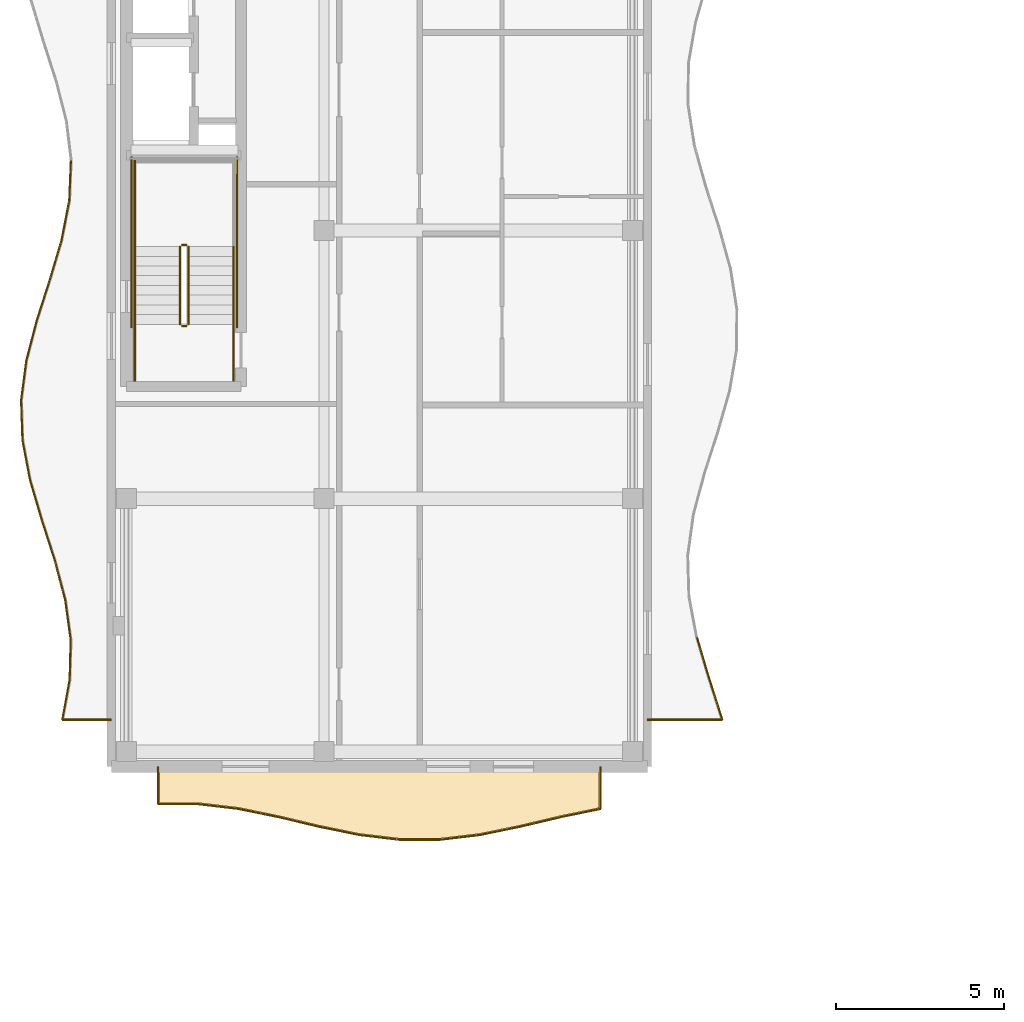
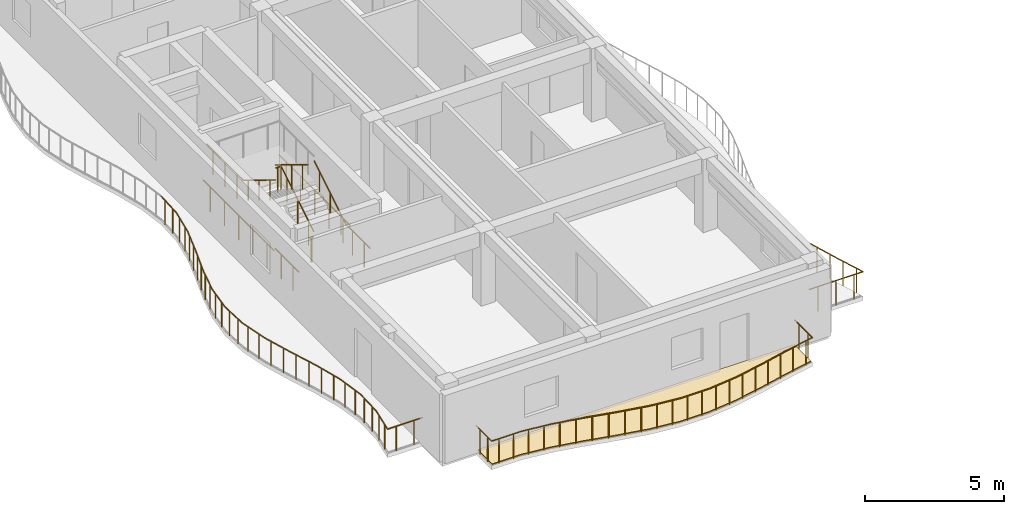
# One storey, part 56 of 79: 42 railings, 1 covering.
"""IFC4 building model written with IfcOpenShell, lengths in metres."""

import ifcopenshell
import ifcopenshell.guid

model = None  # the IFC model being written
_history = None  # IfcOwnerHistory: only IFC2X3 demands one
_inside = {}  # id of a spatial element -> (the spatial element, [elements in it])
_under = {}  # id of a project, library or spatial element -> (it, [spatial elements below it])
_declared = {}  # id of a project -> (the project, [libraries it declares])
_typed = {}  # id of a type object -> (the type object, [elements of that type])
_made_of = {}  # id of a material, layer set ... -> (it, [elements and type objects made of it])


def new_model(schema):
    """Start an empty IFC model of exactly this schema.

    Asked for "IFC4X3", IfcOpenShell would pick the latest addendum, in which some entities
    have other attributes; the version numbers below select the first issue.
    IFC2X3 requires an IfcOwnerHistory on every rooted entity: one is made here for all.
    """
    global model, _history
    if schema == "IFC4X3":
        model = ifcopenshell.file(schema_version=(4, 3, 0, 0))
    else:
        model = ifcopenshell.file(schema=schema)
    _inside.clear()
    _under.clear()
    _declared.clear()
    _typed.clear()
    _made_of.clear()
    _history = None
    if model.schema == "IFC2X3":
        org = make("IfcOrganization", Name="unknown")
        user = make(
            "IfcPersonAndOrganization",
            ThePerson=make("IfcPerson", FamilyName="unknown"),
            TheOrganization=org,
        )
        app = make(
            "IfcApplication",
            ApplicationDeveloper=org,
            Version="unknown",
            ApplicationFullName="unknown",
            ApplicationIdentifier="unknown",
        )
        _history = make(
            "IfcOwnerHistory",
            OwningUser=user,
            OwningApplication=app,
            ChangeAction="ADDED",
            CreationDate=0,
        )
    return model


def make(cls, **values):
    """One entity of the class cls with the attributes given. An attribute that is None is left unset."""
    return model.create_entity(
        cls, **{name: value for name, value in values.items() if value is not None}
    )


def rooted(cls, **values):
    """An entity with a GlobalId (a new one), such as an element, a storey or a relation."""
    return make(cls, GlobalId=ifcopenshell.guid.new(), OwnerHistory=_history, **values)


def si_unit(unit_type, name, prefix=None):
    """IfcSIUnit, for example si_unit("LENGTHUNIT", "METRE", prefix="MILLI")."""
    return make("IfcSIUnit", UnitType=unit_type, Prefix=prefix, Name=name)


def assignment(units):
    """IfcUnitAssignment: the units of a project."""
    return None if units is None else make("IfcUnitAssignment", Units=units)


def point(xyz):
    """IfcCartesianPoint."""
    return None if xyz is None else make("IfcCartesianPoint", Coordinates=xyz)


def direction(xyz):
    """IfcDirection."""
    return None if xyz is None else make("IfcDirection", DirectionRatios=xyz)


def frame(location, z_axis=None, x_axis=None):
    """IfcAxis2Placement3D, a coordinate frame: its origin and axes. An axis left out is left unset."""
    return make(
        "IfcAxis2Placement3D",
        Location=point(location),
        Axis=direction(z_axis),
        RefDirection=direction(x_axis),
    )


def frame_2d(location, x_axis=None):
    """IfcAxis2Placement2D, a coordinate frame in the plane: its origin and x axis."""
    return make(
        "IfcAxis2Placement2D", Location=point(location), RefDirection=direction(x_axis)
    )


def origin():
    """The frame at (0, 0, 0) with its axes left unset."""
    return frame((0.0, 0.0, 0.0))


def origin_2d():
    """The frame at (0, 0) in the plane with its x axis left unset."""
    return frame_2d((0.0, 0.0))


def place(relative_to, where):
    """IfcLocalPlacement: puts the frame where relative to a parent placement (None: the world)."""
    return make(
        "IfcLocalPlacement", PlacementRelTo=relative_to, RelativePlacement=where
    )


def context(
    kind, dimensions, precision=None, world=None, true_north=None, identifier=None
):
    """IfcGeometricRepresentationContext, for example the 3D "Model" context."""
    return make(
        "IfcGeometricRepresentationContext",
        ContextIdentifier=identifier,
        ContextType=kind,
        CoordinateSpaceDimension=dimensions,
        Precision=precision,
        WorldCoordinateSystem=world,
        TrueNorth=true_north,
    )


def subcontext(parent, identifier, kind, view, scale=None):
    """IfcGeometricRepresentationSubContext, for example "Body" below "Model"."""
    return make(
        "IfcGeometricRepresentationSubContext",
        ContextIdentifier=identifier,
        ContextType=kind,
        ParentContext=parent,
        TargetScale=scale,
        TargetView=view,
    )


def project(units=None, contexts=None):
    """IfcProject with its units and contexts."""
    return rooted(
        "IfcProject",
        Name="project",
        RepresentationContexts=contexts,
        UnitsInContext=assignment(units),
    )


def spatial(cls, under=None, at=None, **own):
    """A site, building, storey or space (cls), placed at a placement, below another one or the project."""
    s = rooted(cls, ObjectPlacement=at, **own)
    if under is not None:
        _under.setdefault(under.id(), (under, []))[1].append(s)
    return s


def polyline(points):
    """IfcPolyline through the points."""
    return make("IfcPolyline", Points=[point(p) for p in points])


def profile(cls, at=None, kind="AREA", **sizes):
    """A parametric profile (cls). Its sizes go by their IFC names, for example OverallWidth=200.0."""
    return make(cls, ProfileType=kind, Position=at, **sizes)


def circle(**sizes):
    """IfcCircleProfileDef."""
    return profile("IfcCircleProfileDef", **sizes)


def outline(outer, holes=None, kind="AREA"):
    """IfcArbitraryClosedProfileDef: a profile drawn as a closed curve; with holes, ...WithVoids."""
    if holes is None:
        return make("IfcArbitraryClosedProfileDef", ProfileType=kind, OuterCurve=outer)
    return make(
        "IfcArbitraryProfileDefWithVoids",
        ProfileType=kind,
        OuterCurve=outer,
        InnerCurves=holes,
    )


def extrude(swept, where, along, depth):
    """IfcExtrudedAreaSolid: the profile swept, set in the frame where, extruded along a direction by depth."""
    return make(
        "IfcExtrudedAreaSolid",
        SweptArea=swept,
        Position=where,
        ExtrudedDirection=direction(along),
        Depth=depth,
    )


def shape(context_of_items, identifier, shape_type, items):
    """IfcShapeRepresentation: the items that make up one representation, for example the "Body"."""
    return make(
        "IfcShapeRepresentation",
        ContextOfItems=context_of_items,
        RepresentationIdentifier=identifier,
        RepresentationType=shape_type,
        Items=items,
    )


def material(Name=None, Category=None):
    """IfcMaterial."""
    return make("IfcMaterial", Name=Name, Category=Category)


def layer(
    of_material, thickness, ventilated=None, Name=None, Category=None, Priority=None
):
    """IfcMaterialLayer: one layer of a wall or slab, of a material (None: an air gap)."""
    return make(
        "IfcMaterialLayer",
        Material=of_material,
        LayerThickness=thickness,
        IsVentilated=ventilated,
        Name=Name,
        Category=Category,
        Priority=Priority,
    )


def layer_set(layers, Name=None):
    """IfcMaterialLayerSet."""
    return make("IfcMaterialLayerSet", MaterialLayers=layers, LayerSetName=Name)


def made_of(thing, what):
    """Note that an element or type object is made of a material, layer set ...; save() writes the relation."""
    if what is not None:
        _made_of.setdefault(what.id(), (what, []))[1].append(thing)
    return thing


def type_object(cls, material=None, **own):
    """A type object (cls), such as IfcWallType, which elements share."""
    return made_of(rooted(cls, **own), material)


def element(
    cls,
    number,
    at=None,
    inside=None,
    cuts=None,
    type_object=None,
    material=None,
    context=None,
    identifier="Body",
    shape_type=None,
    held_by="IfcProductDefinitionShape",
    body=None,
    shapes=None,
    **own,
):
    """One element of the class cls, such as IfcWall. Its Tag is "e" and its number.

    at: its placement. inside: the storey or other place that contains it. cuts: it is an
    opening in that element (IfcRelVoidsElement). A single representation is given by context,
    identifier, shape_type and body (its items); several are given by shapes. held_by: the class
    of the entity that holds the representations. save() writes the other relations.
    """
    e = rooted(cls, Tag="e%d" % number, ObjectPlacement=at, **own)
    if body is not None:
        shapes = [shape(context, identifier, shape_type, body)]
    if shapes is not None:
        e.Representation = make(held_by, Representations=shapes)
    if inside is not None:
        _inside.setdefault(inside.id(), (inside, []))[1].append(e)
    if cuts is not None:
        rooted(
            "IfcRelVoidsElement", RelatingBuildingElement=cuts, RelatedOpeningElement=e
        )
    if type_object is not None:
        _typed.setdefault(type_object.id(), (type_object, []))[1].append(e)
    return made_of(e, material)


def aggregate(whole, parts):
    """IfcRelAggregates: a whole, such as a stair, and the parts it consists of."""
    return rooted("IfcRelAggregates", RelatingObject=whole, RelatedObjects=parts)


def save(model, path):
    """Write the relations noted so far, then the file.

    IfcRelAggregates (storeys below a building ...), IfcRelContainedInSpatialStructure (elements
    in a storey), IfcRelDefinesByType, IfcRelAssociatesMaterial and IfcRelDeclares: one each for
    every whole, place, type object, material and project.
    """
    for whole, parts in _under.values():
        aggregate(whole, parts)
    for where, things in _inside.values():
        rooted(
            "IfcRelContainedInSpatialStructure",
            RelatedElements=things,
            RelatingStructure=where,
        )
    for kind, things in _typed.values():
        rooted("IfcRelDefinesByType", RelatedObjects=things, RelatingType=kind)
    for what, things in _made_of.values():
        rooted("IfcRelAssociatesMaterial", RelatedObjects=things, RelatingMaterial=what)
    for by, libraries in _declared.values():
        rooted("IfcRelDeclares", RelatingContext=by, RelatedDefinitions=libraries)
    model.write(path)


model = new_model("IFC4")

# Units and contexts
model_context = context("Model", 3, precision=1e-05, world=origin(), true_north=direction((0.0, 1.0)))
body_context = subcontext(model_context, "Body", "Model", "MODEL_VIEW")
ifc_project = project(units=[si_unit("LENGTHUNIT", "METRE"), si_unit("AREAUNIT", "SQUARE_METRE"), si_unit("VOLUMEUNIT", "CUBIC_METRE"), si_unit("PLANEANGLEUNIT", "RADIAN"), si_unit("MASSUNIT", "GRAM", prefix="KILO")], contexts=[model_context])

# Site, building, storey
site_placement = place(None, origin())
site = spatial("IfcSite", under=ifc_project, at=site_placement, CompositionType="ELEMENT")
building_placement = place(site_placement, origin())
building = spatial("IfcBuilding", under=site, at=building_placement, Name="Keldmere Railside Commons", CompositionType="ELEMENT")
storey_placement = place(building_placement, frame((0.0, 0.0, 10.56005859375)))
storey = spatial("IfcBuildingStorey", under=building, at=storey_placement, Name="L03", CompositionType="ELEMENT", Elevation=10.56005859375)

# Railings
ifc_material_1 = material(Name="Steel F-24 (S235)", Category="steel")
railing_type_1 = type_object("IfcRailingType", Name="Balcony & Terrace Steel Balustrade 1100", PredefinedType="BALUSTRADE", material=ifc_material_1)
railing_1_placement = place(storey_placement, frame((24.0, 57.39990234375, 0.0)))
element("IfcRailing", 1, at=railing_1_placement, inside=storey, type_object=railing_type_1, Name="GR-1 GRD-L03-0277", PredefinedType="BALUSTRADE", context=body_context, shape_type="SweptSolid", body=[
    extrude(circle(Radius=0.02392578125, at=origin_2d()), frame((0.0, 0.0, 1.076171875), z_axis=(1.0, 0.0, 0.0), x_axis=(0.0, 1.0, 0.0)), (0.0, 0.0, 1.0), 2.236083984375),
    extrude(circle(Radius=0.02099609375, at=origin_2d()), frame((0.37255859375, 0.0, 0.0)), (0.0, 0.0, 1.0), 1.048095703125),
    extrude(circle(Radius=0.02099609375, at=origin_2d()), frame((1.1181640625, 0.0, 0.0)), (0.0, 0.0, 1.0), 1.048095703125),
    extrude(circle(Radius=0.02099609375, at=origin_2d()), frame((1.86328125, 0.0, 0.0)), (0.0, 0.0, 1.0), 1.048095703125),
])
railing_2_placement = place(storey_placement, frame((26.236083984375, 57.39990234375, 0.0)))
element("IfcRailing", 2, at=railing_2_placement, inside=storey, type_object=railing_type_1, Name="GR-1 GRD-L03-0278", PredefinedType="BALUSTRADE", context=body_context, shape_type="SweptSolid", body=[
    extrude(circle(Radius=0.02392578125, at=origin_2d()), frame((0.0, 0.0, 1.076171875), z_axis=(-0.305333404946, 0.952245510267, 0.0), x_axis=(-0.952245510267, -0.305333404946, 0.0)), (0.0, 0.0, 1.0), 1.28662109375),
    extrude(circle(Radius=0.02099609375, at=origin_2d()), frame((-0.09814453125, 0.30615234375, 0.0)), (0.0, 0.0, 1.0), 1.048095703125),
    extrude(circle(Radius=0.02099609375, at=origin_2d()), frame((-0.294677734375, 0.9189453125, 0.0)), (0.0, 0.0, 1.0), 1.048095703125),
])
railing_3_placement = place(storey_placement, frame((25.84326171875, 58.625, 0.0)))
element("IfcRailing", 3, at=railing_3_placement, inside=storey, type_object=railing_type_1, Name="GR-1 GRD-L03-0279", PredefinedType="BALUSTRADE", context=body_context, shape_type="SweptSolid", body=[
    extrude(circle(Radius=0.02392578125, at=origin_2d()), frame((0.0, 0.0, 1.076171875), z_axis=(-0.284296488671, 0.958736411392, 0.0), x_axis=(-0.958736411392, -0.284296488671, 0.0)), (0.0, 0.0, 1.0), 1.27783203125),
    extrude(circle(Radius=0.02099609375, at=origin_2d()), frame((-0.0908203125, 0.30615234375, 0.0)), (0.0, 0.0, 1.0), 1.048095703125),
    extrude(circle(Radius=0.02099609375, at=origin_2d()), frame((-0.2724609375, 0.9189453125, 0.0)), (0.0, 0.0, 1.0), 1.048095703125),
])
railing_4_placement = place(storey_placement, frame((8.0, 57.39990234375, 0.0)))
element("IfcRailing", 4, at=railing_4_placement, inside=storey, type_object=railing_type_1, Name="GR-1 GRD-L03-0303", PredefinedType="BALUSTRADE", context=body_context, shape_type="SweptSolid", body=[
    extrude(circle(Radius=0.02392578125, at=origin_2d()), frame((0.0, 0.0, 1.076171875), z_axis=(-1.0, 0.0, 0.0), x_axis=(0.0, -1.0, 0.0)), (0.0, 0.0, 1.0), 1.4619140625),
    extrude(circle(Radius=0.02099609375, at=origin_2d()), frame((-0.365478515625, 0.0, 0.0)), (0.0, 0.0, 1.0), 1.048095703125),
    extrude(circle(Radius=0.02099609375, at=origin_2d()), frame((-1.096435546875, 0.0, 0.0)), (0.0, 0.0, 1.0), 1.048095703125),
])
railing_5_placement = place(storey_placement, frame((6.5380859375, 57.39990234375, 0.0)))
element("IfcRailing", 5, at=railing_5_placement, inside=storey, type_object=railing_type_1, Name="GR-1 GRD-L03-0304", PredefinedType="BALUSTRADE", context=body_context, shape_type="SweptSolid", body=[
    extrude(circle(Radius=0.02392578125, at=origin_2d()), frame((0.0, 0.0, 1.076171875), z_axis=(0.180321371357, 0.983607748562, 0.0), x_axis=(-0.983607748562, 0.180321371357, 0.0)), (0.0, 0.0, 1.0), 1.211669921875),
    extrude(circle(Radius=0.02099609375, at=origin_2d()), frame((0.0546875, 0.2978515625, 0.0)), (0.0, 0.0, 1.0), 1.048095703125),
    extrude(circle(Radius=0.02099609375, at=origin_2d()), frame((0.163818359375, 0.89404296875, 0.0)), (0.0, 0.0, 1.0), 1.048095703125),
])
railing_6_placement = place(storey_placement, frame((6.756591796875, 58.591796875, 0.0)))
element("IfcRailing", 6, at=railing_6_placement, inside=storey, type_object=railing_type_1, Name="GR-1 GRD-L03-0305", PredefinedType="BALUSTRADE", context=body_context, shape_type="SweptSolid", body=[
    extrude(circle(Radius=0.02392578125, at=origin_2d()), frame((0.0, 0.0, 1.076171875), z_axis=(0.026425195158, 0.999650793558, 0.0), x_axis=(-0.999650793558, 0.026425195158, 0.0)), (0.0, 0.0, 1.0), 1.19189453125),
    extrude(circle(Radius=0.02099609375, at=origin_2d()), frame((0.0078125, 0.2978515625, 0.0)), (0.0, 0.0, 1.0), 1.048095703125),
    extrude(circle(Radius=0.02099609375, at=origin_2d()), frame((0.023681640625, 0.8935546875, 0.0)), (0.0, 0.0, 1.0), 1.048095703125),
])
railing_7_placement = place(storey_placement, frame((6.7880859375, 59.783203125, 0.0)))
element("IfcRailing", 7, at=railing_7_placement, inside=storey, type_object=railing_type_1, Name="GR-1 GRD-L03-0306", PredefinedType="BALUSTRADE", context=body_context, shape_type="SweptSolid", body=[
    extrude(circle(Radius=0.02392578125, at=origin_2d()), frame((0.0, 0.0, 1.076171875), z_axis=(-0.135765210069, 0.990741039695, 0.0), x_axis=(-0.990741039695, -0.135765210069, 0.0)), (0.0, 0.0, 1.0), 1.203125),
    extrude(circle(Radius=0.02099609375, at=origin_2d()), frame((-0.040771484375, 0.2978515625, 0.0)), (0.0, 0.0, 1.0), 1.048095703125),
    extrude(circle(Radius=0.02099609375, at=origin_2d()), frame((-0.12255859375, 0.89404296875, 0.0)), (0.0, 0.0, 1.0), 1.048095703125),
])
railing_8_placement = place(storey_placement, frame((6.624755859375, 60.97509765625, 0.0)))
element("IfcRailing", 8, at=railing_8_placement, inside=storey, type_object=railing_type_1, Name="GR-1 GRD-L03-0307", PredefinedType="BALUSTRADE", context=body_context, shape_type="SweptSolid", body=[
    extrude(circle(Radius=0.02392578125, at=origin_2d()), frame((0.0, 0.0, 1.076171875), z_axis=(-0.25570201578, 0.966755646028, 0.0), x_axis=(-0.966755646028, -0.25570201578, 0.0)), (0.0, 0.0, 1.0), 1.232666015625),
    extrude(circle(Radius=0.02099609375, at=origin_2d()), frame((-0.078857421875, 0.2978515625, 0.0)), (0.0, 0.0, 1.0), 1.048095703125),
    extrude(circle(Radius=0.02099609375, at=origin_2d()), frame((-0.236328125, 0.893798828125, 0.0)), (0.0, 0.0, 1.0), 1.048095703125),
])
railing_9_placement = place(storey_placement, frame((6.3095703125, 62.166748046875, 0.0)))
element("IfcRailing", 9, at=railing_9_placement, inside=storey, type_object=railing_type_1, Name="GR-1 GRD-L03-0308", PredefinedType="BALUSTRADE", context=body_context, shape_type="SweptSolid", body=[
    extrude(circle(Radius=0.02392578125, at=origin_2d()), frame((0.0, 0.0, 1.076171875), z_axis=(-0.306734987386, 0.951794960857, 0.0), x_axis=(-0.951794960857, -0.306734987386, 0.0)), (0.0, 0.0, 1.0), 1.251953125),
    extrude(circle(Radius=0.02099609375, at=origin_2d()), frame((-0.095947265625, 0.2978515625, 0.0)), (0.0, 0.0, 1.0), 1.048095703125),
    extrude(circle(Radius=0.02099609375, at=origin_2d()), frame((-0.2880859375, 0.893798828125, 0.0)), (0.0, 0.0, 1.0), 1.048095703125),
])
railing_10_placement = place(storey_placement, frame((5.925537109375, 63.3583984375, 0.0)))
element("IfcRailing", 10, at=railing_10_placement, inside=storey, type_object=railing_type_1, Name="GR-1 GRD-L03-0309", PredefinedType="BALUSTRADE", context=body_context, shape_type="SweptSolid", body=[
    extrude(circle(Radius=0.02392578125, at=origin_2d()), frame((0.0, 0.0, 1.076171875), z_axis=(-0.282421685118, 0.959290358429, 0.0), x_axis=(-0.959290358429, -0.282421685118, 0.0)), (0.0, 0.0, 1.0), 1.2421875),
    extrude(circle(Radius=0.02099609375, at=origin_2d()), frame((-0.087646484375, 0.2978515625, 0.0)), (0.0, 0.0, 1.0), 1.048095703125),
    extrude(circle(Radius=0.02099609375, at=origin_2d()), frame((-0.26318359375, 0.893798828125, 0.0)), (0.0, 0.0, 1.0), 1.048095703125),
])
railing_11_placement = place(storey_placement, frame((5.57470703125, 64.550048828125, 0.0)))
element("IfcRailing", 11, at=railing_11_placement, inside=storey, type_object=railing_type_1, Name="GR-1 GRD-L03-0310", PredefinedType="BALUSTRADE", context=body_context, shape_type="SweptSolid", body=[
    extrude(circle(Radius=0.02392578125, at=origin_2d()), frame((0.0, 0.0, 1.076171875), z_axis=(-0.186001970705, 0.982549371225, 0.0), x_axis=(-0.982549371225, -0.186001970705, 0.0)), (0.0, 0.0, 1.0), 1.212890625),
    extrude(circle(Radius=0.02099609375, at=origin_2d()), frame((-0.056396484375, 0.2978515625, 0.0)), (0.0, 0.0, 1.0), 1.048095703125),
    extrude(circle(Radius=0.02099609375, at=origin_2d()), frame((-0.169189453125, 0.893798828125, 0.0)), (0.0, 0.0, 1.0), 1.048095703125),
])
railing_12_placement = place(storey_placement, frame((5.34912109375, 65.74169921875, 0.0)))
element("IfcRailing", 12, at=railing_12_placement, inside=storey, type_object=railing_type_1, Name="GR-1 GRD-L03-0311", PredefinedType="BALUSTRADE", context=body_context, shape_type="SweptSolid", body=[
    extrude(circle(Radius=0.02392578125, at=origin_2d()), frame((0.0, 0.0, 1.076171875), z_axis=(-0.033580722269, 0.999436008503, 0.0), x_axis=(-0.999436008503, -0.033580722269, 0.0)), (0.0, 0.0, 1.0), 1.1923828125),
    extrude(circle(Radius=0.02099609375, at=origin_2d()), frame((-0.010009765625, 0.2978515625, 0.0)), (0.0, 0.0, 1.0), 1.048095703125),
    extrude(circle(Radius=0.02099609375, at=origin_2d()), frame((-0.030029296875, 0.893798828125, 0.0)), (0.0, 0.0, 1.0), 1.048095703125),
])
railing_13_placement = place(storey_placement, frame((5.30908203125, 66.933349609375, 0.0)))
element("IfcRailing", 13, at=railing_13_placement, inside=storey, type_object=railing_type_1, Name="GR-1 GRD-L03-0312", PredefinedType="BALUSTRADE", context=body_context, shape_type="SweptSolid", body=[
    extrude(circle(Radius=0.02392578125, at=origin_2d()), frame((0.0, 0.0, 1.076171875), z_axis=(0.129608407005, 0.99156525798, 0.0), x_axis=(-0.99156525798, 0.129608407005, 0.0)), (0.0, 0.0, 1.0), 1.201904296875),
    extrude(circle(Radius=0.02099609375, at=origin_2d()), frame((0.0390625, 0.2978515625, 0.0)), (0.0, 0.0, 1.0), 1.048095703125),
    extrude(circle(Radius=0.02099609375, at=origin_2d()), frame((0.11669921875, 0.893798828125, 0.0)), (0.0, 0.0, 1.0), 1.048095703125),
])
railing_14_placement = place(storey_placement, frame((5.46484375, 68.125, 0.0)))
element("IfcRailing", 14, at=railing_14_placement, inside=storey, type_object=railing_type_1, Name="GR-1 GRD-L03-0313", PredefinedType="BALUSTRADE", context=body_context, shape_type="SweptSolid", body=[
    extrude(circle(Radius=0.02392578125, at=origin_2d()), frame((0.0, 0.0, 1.076171875), z_axis=(0.25199411255, 0.967728767393, 0.0), x_axis=(-0.967728767393, 0.25199411255, 0.0)), (0.0, 0.0, 1.0), 1.2314453125),
    extrude(circle(Radius=0.02099609375, at=origin_2d()), frame((0.07763671875, 0.2978515625, 0.0)), (0.0, 0.0, 1.0), 1.048095703125),
    extrude(circle(Radius=0.02099609375, at=origin_2d()), frame((0.232666015625, 0.893798828125, 0.0)), (0.0, 0.0, 1.0), 1.048095703125),
])
railing_15_placement = place(storey_placement, frame((5.775146484375, 69.316650390625, 0.0)))
element("IfcRailing", 15, at=railing_15_placement, inside=storey, type_object=railing_type_1, Name="GR-1 GRD-L03-0314", PredefinedType="BALUSTRADE", context=body_context, shape_type="SweptSolid", body=[
    extrude(circle(Radius=0.02392578125, at=origin_2d()), frame((0.0, 0.0, 1.076171875), z_axis=(0.306028121294, 0.952022472937, 0.0), x_axis=(-0.952022472937, 0.306028121294, 0.0)), (0.0, 0.0, 1.0), 1.251708984375),
    extrude(circle(Radius=0.02099609375, at=origin_2d()), frame((0.095703125, 0.2978515625, 0.0)), (0.0, 0.0, 1.0), 1.048095703125),
    extrude(circle(Radius=0.02099609375, at=origin_2d()), frame((0.287353515625, 0.893798828125, 0.0)), (0.0, 0.0, 1.0), 1.048095703125),
])
railing_16_placement = place(storey_placement, frame((6.158203125, 70.50830078125, 0.0)))
element("IfcRailing", 16, at=railing_16_placement, inside=storey, type_object=railing_type_1, Name="GR-1 GRD-L03-0315", PredefinedType="BALUSTRADE", context=body_context, shape_type="SweptSolid", body=[
    extrude(circle(Radius=0.02392578125, at=origin_2d()), frame((0.0, 0.0, 1.076171875), z_axis=(0.28513118313, 0.958488501969, 0.0), x_axis=(-0.958488501969, 0.28513118313, 0.0)), (0.0, 0.0, 1.0), 1.2431640625),
    extrude(circle(Radius=0.02099609375, at=origin_2d()), frame((0.088623046875, 0.2978515625, 0.0)), (0.0, 0.0, 1.0), 1.048095703125),
    extrude(circle(Radius=0.02099609375, at=origin_2d()), frame((0.265869140625, 0.893798828125, 0.0)), (0.0, 0.0, 1.0), 1.048095703125),
])
railing_17_placement = place(storey_placement, frame((6.5126953125, 71.699951171875, 0.0)))
element("IfcRailing", 17, at=railing_17_placement, inside=storey, type_object=railing_type_1, Name="GR-1 GRD-L03-0316", PredefinedType="BALUSTRADE", context=body_context, shape_type="SweptSolid", body=[
    extrude(circle(Radius=0.02392578125, at=origin_2d()), frame((0.0, 0.0, 1.076171875), z_axis=(0.191241035159, 0.981543104744, 0.0), x_axis=(-0.981543104744, 0.191241035159, 0.0)), (0.0, 0.0, 1.0), 1.214111328125),
    extrude(circle(Radius=0.02099609375, at=origin_2d()), frame((0.05810546875, 0.2978515625, 0.0)), (0.0, 0.0, 1.0), 1.048095703125),
    extrude(circle(Radius=0.02099609375, at=origin_2d()), frame((0.174072265625, 0.893798828125, 0.0)), (0.0, 0.0, 1.0), 1.048095703125),
])
railing_18_placement = place(storey_placement, frame((6.744873046875, 72.8916015625, 0.0)))
element("IfcRailing", 18, at=railing_18_placement, inside=storey, type_object=railing_type_1, Name="GR-1 GRD-L03-0317", PredefinedType="BALUSTRADE", context=body_context, shape_type="SweptSolid", body=[
    extrude(circle(Radius=0.02392578125, at=origin_2d()), frame((0.0, 0.0, 1.076171875), z_axis=(0.04053212266, 0.999178235868, 0.0), x_axis=(-0.999178235868, 0.04053212266, 0.0)), (0.0, 0.0, 1.0), 1.192626953125),
    extrude(circle(Radius=0.02099609375, at=origin_2d()), frame((0.01220703125, 0.2978515625, 0.0)), (0.0, 0.0, 1.0), 1.048095703125),
    extrude(circle(Radius=0.02099609375, at=origin_2d()), frame((0.0361328125, 0.893798828125, 0.0)), (0.0, 0.0, 1.0), 1.048095703125),
])
railing_19_placement = place(storey_placement, frame((9.39990234375, 56.0, 0.0)))
element("IfcRailing", 19, at=railing_19_placement, inside=storey, type_object=railing_type_1, Name="GR-1 GRD-L03-0366", PredefinedType="BALUSTRADE", context=body_context, shape_type="SweptSolid", body=[
    extrude(circle(Radius=0.02392578125, at=origin_2d()), frame((0.0, 0.0, 1.076171875), z_axis=(0.0, -1.0, 0.0), x_axis=(1.0, 0.0, 0.0)), (0.0, 0.0, 1.0), 1.118896484375),
    extrude(circle(Radius=0.02099609375, at=origin_2d()), frame((0.0, -0.27978515625, 0.0)), (0.0, 0.0, 1.0), 1.048095703125),
    extrude(circle(Radius=0.02099609375, at=origin_2d()), frame((0.0, -0.839111328125, 0.0)), (0.0, 0.0, 1.0), 1.048095703125),
])
railing_20_placement = place(storey_placement, frame((9.39990234375, 54.881103515625, 0.0)))
element("IfcRailing", 20, at=railing_20_placement, inside=storey, type_object=railing_type_1, Name="GR-1 GRD-L03-0367", PredefinedType="BALUSTRADE", context=body_context, shape_type="SweptSolid", body=[
    extrude(circle(Radius=0.02392578125, at=origin_2d()), frame((0.0, 0.0, 1.076171875), z_axis=(0.999999979311, 0.000203417408, 0.0), x_axis=(-0.000203417408, 0.999999979311, 0.0)), (0.0, 0.0, 1.0), 1.2001953125),
    extrude(circle(Radius=0.02099609375, at=origin_2d()), frame((0.300048828125, 0.0, 0.0)), (0.0, 0.0, 1.0), 1.048095703125),
    extrude(circle(Radius=0.02099609375, at=origin_2d()), frame((0.900146484375, 0.000244140625, 0.0)), (0.0, 0.0, 1.0), 1.048095703125),
])
railing_21_placement = place(storey_placement, frame((10.60009765625, 54.88134765625, 0.0)))
element("IfcRailing", 21, at=railing_21_placement, inside=storey, type_object=railing_type_1, Name="GR-1 GRD-L03-0368", PredefinedType="BALUSTRADE", context=body_context, shape_type="SweptSolid", body=[
    extrude(circle(Radius=0.02392578125, at=origin_2d()), frame((0.0, 0.0, 1.076171875), z_axis=(0.993038440955, -0.117790724532, 0.0), x_axis=(0.117790724532, 0.993038440955, 0.0)), (0.0, 0.0, 1.0), 1.208251953125),
    extrude(circle(Radius=0.02099609375, at=origin_2d()), frame((0.300048828125, -0.03564453125, 0.0)), (0.0, 0.0, 1.0), 1.048095703125),
    extrude(circle(Radius=0.02099609375, at=origin_2d()), frame((0.89990234375, -0.106689453125, 0.0)), (0.0, 0.0, 1.0), 1.048095703125),
])
railing_22_placement = place(storey_placement, frame((11.800048828125, 54.739013671875, 0.0)))
element("IfcRailing", 22, at=railing_22_placement, inside=storey, type_object=railing_type_1, Name="GR-1 GRD-L03-0369", PredefinedType="BALUSTRADE", context=body_context, shape_type="SweptSolid", body=[
    extrude(circle(Radius=0.02392578125, at=origin_2d()), frame((0.0, 0.0, 1.076171875), z_axis=(0.979571504615, -0.201096164426, 0.0), x_axis=(0.201096164426, 0.979571504615, 0.0)), (0.0, 0.0, 1.0), 1.224853515625),
    extrude(circle(Radius=0.02099609375, at=origin_2d()), frame((0.300048828125, -0.0615234375, 0.0)), (0.0, 0.0, 1.0), 1.048095703125),
    extrude(circle(Radius=0.02099609375, at=origin_2d()), frame((0.89990234375, -0.184814453125, 0.0)), (0.0, 0.0, 1.0), 1.048095703125),
])
railing_23_placement = place(storey_placement, frame((13.0, 54.49267578125, 0.0)))
element("IfcRailing", 23, at=railing_23_placement, inside=storey, type_object=railing_type_1, Name="GR-1 GRD-L03-0370", PredefinedType="BALUSTRADE", context=body_context, shape_type="SweptSolid", body=[
    extrude(circle(Radius=0.02392578125, at=origin_2d()), frame((0.0, 0.0, 1.076171875), z_axis=(0.97299493391, -0.230826468553, 0.0), x_axis=(0.230826468553, 0.97299493391, 0.0)), (0.0, 0.0, 1.0), 1.233154296875),
    extrude(circle(Radius=0.02099609375, at=origin_2d()), frame((0.300048828125, -0.0712890625, 0.0)), (0.0, 0.0, 1.0), 1.048095703125),
    extrude(circle(Radius=0.02099609375, at=origin_2d()), frame((0.89990234375, -0.21337890625, 0.0)), (0.0, 0.0, 1.0), 1.048095703125),
])
railing_24_placement = place(storey_placement, frame((14.199951171875, 54.2080078125, 0.0)))
element("IfcRailing", 24, at=railing_24_placement, inside=storey, type_object=railing_type_1, Name="GR-1 GRD-L03-0371", PredefinedType="BALUSTRADE", context=body_context, shape_type="SweptSolid", body=[
    extrude(circle(Radius=0.02392578125, at=origin_2d()), frame((0.0, 0.0, 1.076171875), z_axis=(0.979492915845, -0.201478603849, 0.0), x_axis=(0.201478603849, 0.979492915845, 0.0)), (0.0, 0.0, 1.0), 1.22509765625),
    extrude(circle(Radius=0.02099609375, at=origin_2d()), frame((0.300048828125, -0.061767578125, 0.0)), (0.0, 0.0, 1.0), 1.048095703125),
    extrude(circle(Radius=0.02099609375, at=origin_2d()), frame((0.89990234375, -0.18505859375, 0.0)), (0.0, 0.0, 1.0), 1.048095703125),
])
railing_25_placement = place(storey_placement, frame((15.39990234375, 53.961181640625, 0.0)))
element("IfcRailing", 25, at=railing_25_placement, inside=storey, type_object=railing_type_1, Name="GR-1 GRD-L03-0372", PredefinedType="BALUSTRADE", context=body_context, shape_type="SweptSolid", body=[
    extrude(circle(Radius=0.02392578125, at=origin_2d()), frame((0.0, 0.0, 1.076171875), z_axis=(0.99304124338, -0.117767096194, 0.0), x_axis=(0.117767096194, 0.99304124338, 0.0)), (0.0, 0.0, 1.0), 1.20849609375),
    extrude(circle(Radius=0.02099609375, at=origin_2d()), frame((0.300048828125, -0.03564453125, 0.0)), (0.0, 0.0, 1.0), 1.048095703125),
    extrude(circle(Radius=0.02099609375, at=origin_2d()), frame((0.900146484375, -0.106689453125, 0.0)), (0.0, 0.0, 1.0), 1.048095703125),
])
railing_26_placement = place(storey_placement, frame((16.60009765625, 53.81884765625, 0.0)))
element("IfcRailing", 26, at=railing_26_placement, inside=storey, type_object=railing_type_1, Name="GR-1 GRD-L03-0373", PredefinedType="BALUSTRADE", context=body_context, shape_type="SweptSolid", body=[
    extrude(circle(Radius=0.02392578125, at=origin_2d()), frame((0.0, 0.0, 1.076171875), z_axis=(0.999999979302, -0.000203458795, 0.0), x_axis=(0.000203458795, 0.999999979302, 0.0)), (0.0, 0.0, 1.0), 1.199951171875),
    extrude(circle(Radius=0.02099609375, at=origin_2d()), frame((0.300048828125, 0.0, 0.0)), (0.0, 0.0, 1.0), 1.048095703125),
    extrude(circle(Radius=0.02099609375, at=origin_2d()), frame((0.89990234375, -0.000244140625, 0.0)), (0.0, 0.0, 1.0), 1.048095703125),
])
railing_27_placement = place(storey_placement, frame((17.800048828125, 53.818603515625, 0.0)))
element("IfcRailing", 27, at=railing_27_placement, inside=storey, type_object=railing_type_1, Name="GR-1 GRD-L03-0374", PredefinedType="BALUSTRADE", context=body_context, shape_type="SweptSolid", body=[
    extrude(circle(Radius=0.02392578125, at=origin_2d()), frame((0.0, 0.0, 1.076171875), z_axis=(0.993038440955, 0.117790724532, 0.0), x_axis=(-0.117790724532, 0.993038440955, 0.0)), (0.0, 0.0, 1.0), 1.208251953125),
    extrude(circle(Radius=0.02099609375, at=origin_2d()), frame((0.300048828125, 0.03564453125, 0.0)), (0.0, 0.0, 1.0), 1.048095703125),
    extrude(circle(Radius=0.02099609375, at=origin_2d()), frame((0.89990234375, 0.106689453125, 0.0)), (0.0, 0.0, 1.0), 1.048095703125),
])
railing_28_placement = place(storey_placement, frame((19.0, 53.9609375, 0.0)))
element("IfcRailing", 28, at=railing_28_placement, inside=storey, type_object=railing_type_1, Name="GR-1 GRD-L03-0375", PredefinedType="BALUSTRADE", context=body_context, shape_type="SweptSolid", body=[
    extrude(circle(Radius=0.02392578125, at=origin_2d()), frame((0.0, 0.0, 1.076171875), z_axis=(0.979571504615, 0.201096164426, 0.0), x_axis=(-0.201096164426, 0.979571504615, 0.0)), (0.0, 0.0, 1.0), 1.224853515625),
    extrude(circle(Radius=0.02099609375, at=origin_2d()), frame((0.300048828125, 0.0615234375, 0.0)), (0.0, 0.0, 1.0), 1.048095703125),
    extrude(circle(Radius=0.02099609375, at=origin_2d()), frame((0.89990234375, 0.184814453125, 0.0)), (0.0, 0.0, 1.0), 1.048095703125),
])
railing_29_placement = place(storey_placement, frame((20.199951171875, 54.207275390625, 0.0)))
element("IfcRailing", 29, at=railing_29_placement, inside=storey, type_object=railing_type_1, Name="GR-1 GRD-L03-0376", PredefinedType="BALUSTRADE", context=body_context, shape_type="SweptSolid", body=[
    extrude(circle(Radius=0.02392578125, at=origin_2d()), frame((0.0, 0.0, 1.076171875), z_axis=(0.97299493391, 0.230826468553, 0.0), x_axis=(-0.230826468553, 0.97299493391, 0.0)), (0.0, 0.0, 1.0), 1.233154296875),
    extrude(circle(Radius=0.02099609375, at=origin_2d()), frame((0.300048828125, 0.0712890625, 0.0)), (0.0, 0.0, 1.0), 1.048095703125),
    extrude(circle(Radius=0.02099609375, at=origin_2d()), frame((0.89990234375, 0.21337890625, 0.0)), (0.0, 0.0, 1.0), 1.048095703125),
])
railing_30_placement = place(storey_placement, frame((21.39990234375, 54.491943359375, 0.0)))
element("IfcRailing", 30, at=railing_30_placement, inside=storey, type_object=railing_type_1, Name="GR-1 GRD-L03-0377", PredefinedType="BALUSTRADE", context=body_context, shape_type="SweptSolid", body=[
    extrude(circle(Radius=0.02392578125, at=origin_2d()), frame((0.0, 0.0, 1.076171875), z_axis=(0.979501003237, 0.201439282806, 0.0), x_axis=(-0.201439282806, 0.979501003237, 0.0)), (0.0, 0.0, 1.0), 1.225341796875),
    extrude(circle(Radius=0.02099609375, at=origin_2d()), frame((0.300048828125, 0.061767578125, 0.0)), (0.0, 0.0, 1.0), 1.048095703125),
    extrude(circle(Radius=0.02099609375, at=origin_2d()), frame((0.900146484375, 0.18505859375, 0.0)), (0.0, 0.0, 1.0), 1.048095703125),
])
railing_31_placement = place(storey_placement, frame((22.60009765625, 54.73876953125, 0.0)))
element("IfcRailing", 31, at=railing_31_placement, inside=storey, type_object=railing_type_1, Name="GR-1 GRD-L03-0378", PredefinedType="BALUSTRADE", context=body_context, shape_type="SweptSolid", body=[
    extrude(circle(Radius=0.02392578125, at=origin_2d()), frame((0.0, 0.0, 1.076171875), z_axis=(0.0, 1.0, 0.0), x_axis=(-1.0, 0.0, 0.0)), (0.0, 0.0, 1.0), 1.26123046875),
    extrude(circle(Radius=0.02099609375, at=origin_2d()), frame((0.0, 0.3154296875, 0.0)), (0.0, 0.0, 1.0), 1.048095703125),
    extrude(circle(Radius=0.02099609375, at=origin_2d()), frame((0.0, 0.94580078125, 0.0)), (0.0, 0.0, 1.0), 1.048095703125),
])
railing_type_2 = type_object("IfcRailingType", Name="Stair Well Steel Guardrail 1100", PredefinedType="BALUSTRADE", material=ifc_material_1)
railing_32_placement = place(storey_placement, frame((10.300048828125, 69.199951171875, 0.177734375)))
element("IfcRailing", 32, at=railing_32_placement, inside=storey, type_object=railing_type_2, Name="L03 ST-D1 stair guard 1", PredefinedType="BALUSTRADE", context=body_context, shape_type="SweptSolid", body=[
    extrude(circle(Radius=0.02392578125, at=origin_2d()), frame((0.0, 0.0, 1.076171875), z_axis=(0.0, 0.852578041948, 0.522599925744), x_axis=(-1.0, 0.0, 0.0)), (0.0, 0.0, 1.0), 2.72119140625),
    extrude(circle(Radius=0.02099609375, at=origin_2d()), frame((0.0, 0.38671875, 0.237060546875)), (0.0, 0.0, 1.0), 1.048095703125),
    extrude(circle(Radius=0.02099609375, at=origin_2d()), frame((0.0, 1.16015625, 0.7109375)), (0.0, 0.0, 1.0), 1.048095703125),
    extrude(circle(Radius=0.02099609375, at=origin_2d()), frame((0.0, 1.933349609375, 1.18505859375)), (0.0, 0.0, 1.0), 1.048095703125),
])
railing_33_placement = place(storey_placement, frame((10.25, 71.570068359375, 1.599853515625)))
element("IfcRailing", 33, at=railing_33_placement, inside=storey, type_object=railing_type_2, Name="L03 ST-D1 stair guard 2", PredefinedType="BALUSTRADE", context=body_context, shape_type="SweptSolid", body=[
    extrude(circle(Radius=0.02392578125, at=origin_2d()), frame((0.0, 0.0, 1.076171875), z_axis=(-1.0, 0.0, 0.0), x_axis=(0.0, -1.0, 0.0)), (0.0, 0.0, 1.0), 0.14990234375),
    extrude(circle(Radius=0.02099609375, at=origin_2d()), frame((-0.074951171875, 0.0, 0.0)), (0.0, 0.0, 1.0), 1.048095703125),
])
railing_34_placement = place(storey_placement, frame((8.699951171875, 71.52001953125, 1.599853515625)))
element("IfcRailing", 34, at=railing_34_placement, inside=storey, type_object=railing_type_2, Name="L03 ST-D1 stair guard 4", PredefinedType="BALUSTRADE", context=body_context, shape_type="SweptSolid", body=[
    extrude(circle(Radius=0.02392578125, at=origin_2d()), frame((0.0, 0.0, 1.076171875), z_axis=(0.0, 1.0, 0.0), x_axis=(-1.0, 0.0, 0.0)), (0.0, 0.0, 1.0), 2.580078125),
    extrude(circle(Radius=0.02099609375, at=origin_2d()), frame((0.0, 0.429931640625, 0.0)), (0.0, 0.0, 1.0), 1.048095703125),
    extrude(circle(Radius=0.02099609375, at=origin_2d()), frame((0.0, 1.2900390625, 0.0)), (0.0, 0.0, 1.0), 1.048095703125),
    extrude(circle(Radius=0.02099609375, at=origin_2d()), frame((0.0, 2.150146484375, 0.0)), (0.0, 0.0, 1.0), 1.048095703125),
])
railing_35_placement = place(storey_placement, frame((10.050048828125, 71.52001953125, 1.77783203125)))
element("IfcRailing", 35, at=railing_35_placement, inside=storey, type_object=railing_type_2, Name="L03 ST-D1 stair guard 6", PredefinedType="BALUSTRADE", context=body_context, shape_type="SweptSolid", body=[
    extrude(circle(Radius=0.02392578125, at=origin_2d()), frame((0.0, 0.0, 1.076171875), z_axis=(0.0, -0.852578041948, 0.522599925744), x_axis=(1.0, 0.0, 0.0)), (0.0, 0.0, 1.0), 2.72119140625),
    extrude(circle(Radius=0.02099609375, at=origin_2d()), frame((0.0, -0.38671875, 0.237060546875)), (0.0, 0.0, 1.0), 1.048095703125),
    extrude(circle(Radius=0.02099609375, at=origin_2d()), frame((0.0, -1.16015625, 0.7109375)), (0.0, 0.0, 1.0), 1.048095703125),
    extrude(circle(Radius=0.02099609375, at=origin_2d()), frame((0.0, -1.933349609375, 1.18505859375)), (0.0, 0.0, 1.0), 1.048095703125),
])
railing_36_placement = place(storey_placement, frame((10.25, 69.14990234375, 0.0)))
element("IfcRailing", 36, at=railing_36_placement, inside=storey, type_object=railing_type_2, Name="L03 ST-D1 stair guard 7", PredefinedType="BALUSTRADE", context=body_context, shape_type="SweptSolid", body=[
    extrude(circle(Radius=0.02392578125, at=origin_2d()), frame((0.0, 0.0, 1.076171875), z_axis=(-1.0, 0.0, 0.0), x_axis=(0.0, -1.0, 0.0)), (0.0, 0.0, 1.0), 0.14990234375),
    extrude(circle(Radius=0.02099609375, at=origin_2d()), frame((-0.074951171875, 0.0, 0.0)), (0.0, 0.0, 1.0), 1.048095703125),
])
for number, where, name in (
    (37, (11.64990234375, 67.5, 0.0), "L03 ST-D1 stair guard 8"),
    (38, (8.699951171875, 67.5, 0.0), "L03 ST-D1 stair guard 9"),
):
    element("IfcRailing", number, at=place(storey_placement, frame(where)), inside=storey, type_object=railing_type_2, Name=name, PredefinedType="BALUSTRADE", context=body_context, shape_type="SweptSolid", body=[
        extrude(circle(Radius=0.02392578125, at=origin_2d()), frame((0.0, 0.0, 1.076171875), z_axis=(0.0, 1.0, 0.0), x_axis=(-1.0, 0.0, 0.0)), (0.0, 0.0, 1.0), 1.699951171875),
        extrude(circle(Radius=0.02099609375, at=origin_2d()), frame((0.0, 0.425048828125, 0.0)), (0.0, 0.0, 1.0), 1.048095703125),
        extrude(circle(Radius=0.02099609375, at=origin_2d()), frame((0.0, 1.27490234375, 0.0)), (0.0, 0.0, 1.0), 1.048095703125),
    ])
for number, where, name in (
    (39, (11.75, 69.10009765625, 0.0), "L03 ST-D1 stair guard 10"),
    (40, (8.60009765625, 69.10009765625, 0.0), "L03 ST-D1 stair guard 11"),
):
    element("IfcRailing", number, at=place(storey_placement, frame(where)), inside=storey, type_object=railing_type_2, Name=name, PredefinedType="BALUSTRADE", context=body_context, shape_type="SweptSolid", body=[
        extrude(circle(Radius=0.02392578125, at=origin_2d()), frame((0.0, 0.0, 1.076171875), z_axis=(0.0, 1.0, 0.0), x_axis=(-1.0, 0.0, 0.0)), (0.0, 0.0, 1.0), 5.099853515625),
        extrude(circle(Radius=0.02099609375, at=origin_2d()), frame((0.0, 0.510009765625, 0.0)), (0.0, 0.0, 1.0), 1.048095703125),
        extrude(circle(Radius=0.02099609375, at=origin_2d()), frame((0.0, 1.530029296875, 0.0)), (0.0, 0.0, 1.0), 1.048095703125),
        extrude(circle(Radius=0.02099609375, at=origin_2d()), frame((0.0, 2.5498046875, 0.0)), (0.0, 0.0, 1.0), 1.048095703125),
        extrude(circle(Radius=0.02099609375, at=origin_2d()), frame((0.0, 3.56982421875, 0.0)), (0.0, 0.0, 1.0), 1.048095703125),
        extrude(circle(Radius=0.02099609375, at=origin_2d()), frame((0.0, 4.58984375, 0.0)), (0.0, 0.0, 1.0), 1.048095703125),
    ])
railing_type_3 = type_object("IfcRailingType", Name="Wall-Mounted Tubular Steel Handrail 900", PredefinedType="HANDRAIL", material=ifc_material_1)
railing_37_placement = place(storey_placement, frame((11.64990234375, 69.199951171875, 0.177734375)))
element("IfcRailing", 41, at=railing_37_placement, inside=storey, type_object=railing_type_3, Name="L03 ST-D1 stair handrail 1", PredefinedType="HANDRAIL", context=body_context, shape_type="SweptSolid", body=[
    extrude(circle(Radius=0.02392578125, at=origin_2d()), frame((0.0, 0.0, 0.8759765625), z_axis=(0.0, 0.852578041948, 0.522599925744), x_axis=(-1.0, 0.0, 0.0)), (0.0, 0.0, 1.0), 2.72119140625),
    extrude(circle(Radius=0.02099609375, at=origin_2d()), frame((0.0, 0.38671875, 0.237060546875)), (0.0, 0.0, 1.0), 0.847900390625),
    extrude(circle(Radius=0.02099609375, at=origin_2d()), frame((0.0, 1.16015625, 0.7109375)), (0.0, 0.0, 1.0), 0.847900390625),
    extrude(circle(Radius=0.02099609375, at=origin_2d()), frame((0.0, 1.933349609375, 1.18505859375)), (0.0, 0.0, 1.0), 0.847900390625),
])
railing_38_placement = place(storey_placement, frame((8.699951171875, 71.52001953125, 1.77783203125)))
element("IfcRailing", 42, at=railing_38_placement, inside=storey, type_object=railing_type_3, Name="L03 ST-D1 stair handrail 2", PredefinedType="HANDRAIL", context=body_context, shape_type="SweptSolid", body=[
    extrude(circle(Radius=0.02392578125, at=origin_2d()), frame((0.0, 0.0, 0.8759765625), z_axis=(0.0, -0.852578041948, 0.522599925744), x_axis=(1.0, 0.0, 0.0)), (0.0, 0.0, 1.0), 2.72119140625),
    extrude(circle(Radius=0.02099609375, at=origin_2d()), frame((0.0, -0.38671875, 0.237060546875)), (0.0, 0.0, 1.0), 0.847900390625),
    extrude(circle(Radius=0.02099609375, at=origin_2d()), frame((0.0, -1.16015625, 0.7109375)), (0.0, 0.0, 1.0), 0.847900390625),
    extrude(circle(Radius=0.02099609375, at=origin_2d()), frame((0.0, -1.933349609375, 1.18505859375)), (0.0, 0.0, 1.0), 0.847900390625),
])

# Covering
ifc_material_2 = material(Name="White Precast Concrete C35/45", Category="concrete")
ifc_layer = layer(ifc_material_2, 0.044921875, Name="White Architectural Balcony Ribbon Cladding 45")
ifc_layer_set = layer_set([ifc_layer], Name="White Precast Concrete C35/45")
covering_type = type_object("IfcCoveringType", Name="White Architectural Balcony Ribbon Cladding 45", PredefinedType="FLOORING", material=ifc_layer_set)
covering_placement = place(storey_placement, origin())
element("IfcCovering", 43, at=covering_placement, inside=storey, type_object=covering_type, Name="CLG-WB D L03 S White Balcony Ribbon", PredefinedType="FLOORING", context=body_context, shape_type="SweptSolid", body=[
    extrude(outline(polyline([(10.60009765625, 54.92138671875), (10.604736328125, 54.9208984375), (11.8046875, 54.77880859375), (11.80810546875, 54.7783203125), (13.008056640625, 54.531982421875), (13.00927734375, 54.531494140625), (14.20849609375, 54.2470703125), (15.406494140625, 54.000732421875), (16.602294921875, 53.85888671875), (17.797607421875, 53.858642578125), (18.99365234375, 54.00048828125), (20.19140625, 54.246337890625), (21.390869140625, 54.531005859375), (21.391845703125, 54.53125), (22.56005859375, 54.771240234375), (22.56005859375, 55.9599609375), (9.43994140625, 55.9599609375), (9.43994140625, 54.921142578125), (10.60009765625, 54.92138671875)])), origin(), (0.0, 0.0, 1.0), 0.044921875),
])

save(model, "model.ifc")
